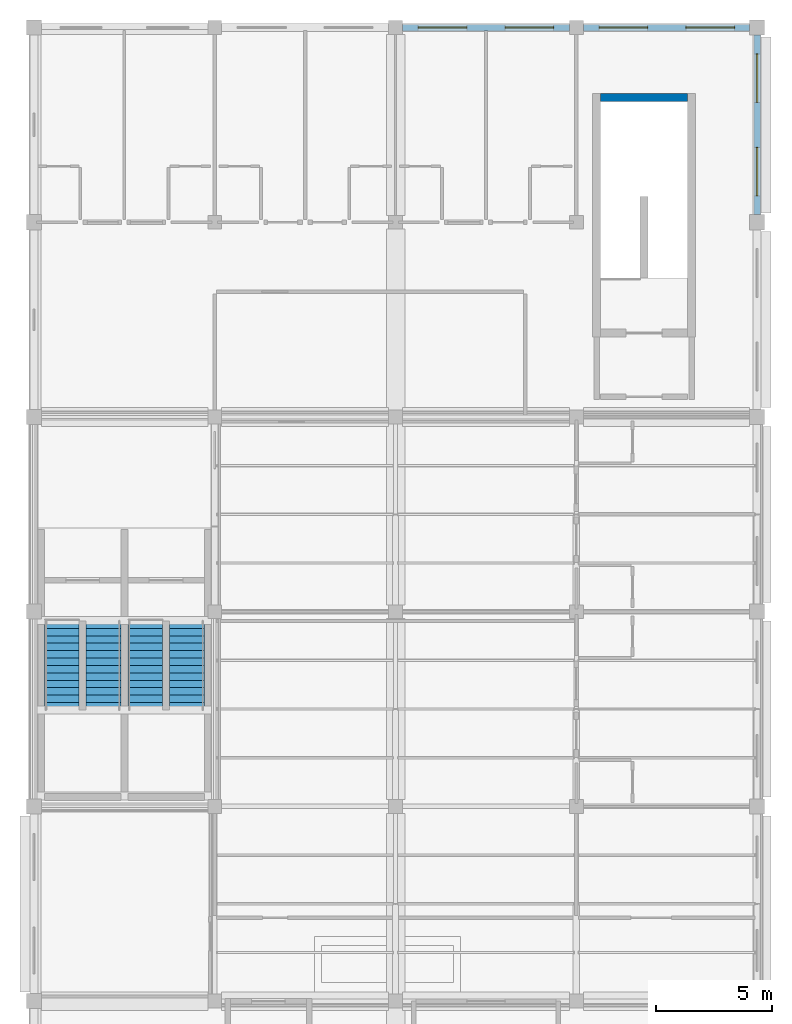
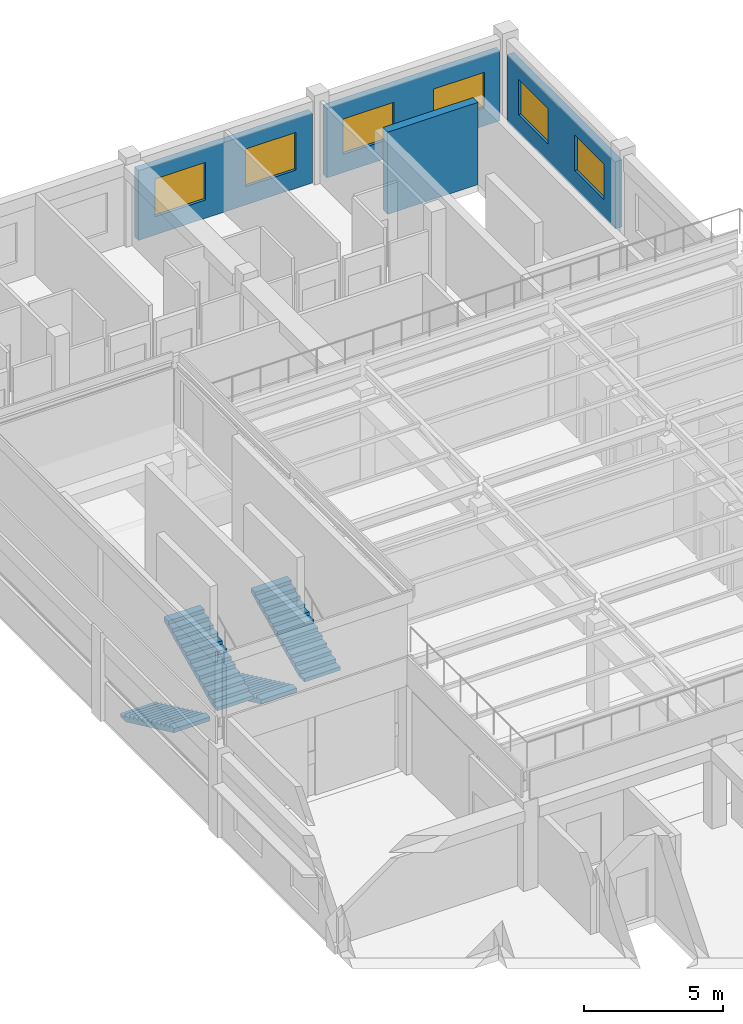
# One storey, part 19 of 20: 6 windows, 4 stair flights, 4 walls, 6 openings, 2 elements without a shape of their own.
"""IFC4 building model written with IfcOpenShell, lengths in metres."""

from ifc_helpers import new_model, si_unit, direction, frame, frame_2d, origin, place, context, subcontext, project, spatial, polyline, rectangle, outline, extrude, material, layer, layer_set, type_object, element, fill, aggregate, save


model = new_model("IFC4")

# Units and contexts
model_context = context("Model", 3, precision=1e-05, world=origin(), true_north=direction((0.0, 1.0)))
body_context = subcontext(model_context, "Body", "Model", "MODEL_VIEW")
ifc_project = project(units=[si_unit("LENGTHUNIT", "METRE"), si_unit("AREAUNIT", "SQUARE_METRE"), si_unit("VOLUMEUNIT", "CUBIC_METRE"), si_unit("PLANEANGLEUNIT", "RADIAN"), si_unit("MASSUNIT", "GRAM", prefix="KILO"), si_unit("THERMODYNAMICTEMPERATUREUNIT", "KELVIN"), si_unit("POWERUNIT", "WATT")], contexts=[model_context])

# Site, building, storey
site_placement = place(None, origin())
site = spatial("IfcSite", under=ifc_project, at=site_placement, CompositionType="ELEMENT")
building_placement = place(site_placement, origin())
building = spatial("IfcBuilding", under=site, at=building_placement, Name="Srebrne Nadtorze General Hospital", CompositionType="ELEMENT")
storey_placement = place(building_placement, frame((0.0, 0.0, 33.89990234375)))
storey = spatial("IfcBuildingStorey", under=building, at=storey_placement, Name="L08", CompositionType="ELEMENT", Elevation=33.89990234375)

# Wall
ifc_material_1 = material(Name="Concrete C40/50", Category="concrete")
ifc_layer_1 = layer(ifc_material_1, 0.35009765625)
ifc_layer_set_1 = layer_set([ifc_layer_1], Name="Concrete C40/50")
wall_type_1 = type_object("IfcWallType", Name="Shear core wall 350", PredefinedType="SHEAR", material=ifc_layer_set_1)
wall_1_placement = place(storey_placement, frame((47.85009765625, 89.375, 0.0), z_axis=(0.0, 0.0, 1.0), x_axis=(1.0, 0.0, 0.0)))
element("IfcWall", 1, at=wall_1_placement, inside=storey, type_object=wall_type_1, Name="Stair core wall ST-02 WL-INT-L08-0451", PredefinedType="SHEAR", context=body_context, shape_type="SweptSolid", body=[
    extrude(rectangle(XDim=3.75, YDim=0.35009765625, at=frame_2d((1.875, 0.0))), origin(), (0.0, 0.0, 1.0), 3.60009765625),
])

# Wall, openings, windows
ifc_material_2 = material(Name="Concrete C35/45 precast", Category="concrete")
ifc_layer_2 = layer(ifc_material_2, 0.280029296875)
ifc_layer_set_2 = layer_set([ifc_layer_2], Name="Concrete C35/45 precast")
wall_type_2 = type_object("IfcWallType", Name="Spandrel wall 280", PredefinedType="STANDARD", material=ifc_layer_set_2)
wall_2_placement = place(storey_placement, frame((39.300048828125, 92.39990234375, 0.0), z_axis=(0.0, 0.0, 1.0), x_axis=(1.0, 0.0, 0.0)))
wall_2 = element("IfcWall", 2, at=wall_2_placement, inside=storey, type_object=wall_type_2, Name="Exterior wall WL-ENV-L08-0556", PredefinedType="STANDARD", context=body_context, shape_type="SweptSolid", body=[
    extrude(rectangle(XDim=7.199951171875, YDim=0.280029296875, at=frame_2d((3.60009765625, 0.0))), origin(), (0.0, 0.0, 1.0), 3.050048828125),
])
opening_1_placement = place(wall_2_placement, frame((0.677978515625, 0.0, 0.800048828125)))
opening_1 = element("IfcOpeningElement", 3, at=opening_1_placement, cuts=wall_2, Name="Opening WN-L08-0938", PredefinedType="OPENING", context=body_context, shape_type="SweptSolid", body=[
    extrude(rectangle(XDim=2.10009765625, YDim=1.64990234375, at=frame_2d((1.050048828125, 0.824951171875))), frame((0.0, 0.15185546875, 0.0), z_axis=(0.0, -1.0, 0.0), x_axis=(1.0, 0.0, 0.0)), (0.0, 0.0, 1.0), 0.303955078125),
])
opening_2_placement = place(wall_2_placement, frame((4.422119140625, 0.0, 0.800048828125)))
opening_2 = element("IfcOpeningElement", 4, at=opening_2_placement, cuts=wall_2, Name="Opening WN-L08-0939", PredefinedType="OPENING", context=body_context, shape_type="SweptSolid", body=[
    extrude(rectangle(XDim=2.10009765625, YDim=1.64990234375, at=frame_2d((1.050048828125, 0.824951171875))), frame((0.0, 0.15185546875, 0.0), z_axis=(0.0, -1.0, 0.0), x_axis=(1.0, 0.0, 0.0)), (0.0, 0.0, 1.0), 0.303955078125),
])
ifc_material_3 = material(Name="Triple Low-E Glazing", Category="glass")
window_type_1 = type_object("IfcWindowType", Name="Punched clinical window 2100x1650", PartitioningType="DOUBLE_PANEL_VERTICAL", PredefinedType="WINDOW", material=ifc_material_3)
window_1_placement = place(opening_1_placement, origin())
window_1 = element("IfcWindow", 5, at=window_1_placement, inside=storey, type_object=window_type_1, Name="Clinical window WN-L08-0938", OverallHeight=1.64990234375, OverallWidth=2.10009765625, PartitioningType="DOUBLE_PANEL_VERTICAL", PredefinedType="WINDOW", context=body_context, shape_type="SweptSolid", body=[
    extrude(rectangle(XDim=2.10009765625, YDim=1.64990234375, at=frame_2d((1.050048828125, 0.824951171875))), frame((0.0, 0.030029296875, 0.0), z_axis=(0.0, -1.0, 0.0), x_axis=(1.0, 0.0, 0.0)), (0.0, 0.0, 1.0), 0.06005859375),
])
fill(opening_1, window_1)
window_2_placement = place(opening_2_placement, origin())
window_2 = element("IfcWindow", 6, at=window_2_placement, inside=storey, type_object=window_type_1, Name="Clinical window WN-L08-0939", OverallHeight=1.64990234375, OverallWidth=2.10009765625, PartitioningType="DOUBLE_PANEL_VERTICAL", PredefinedType="WINDOW", context=body_context, shape_type="SweptSolid", body=[
    extrude(rectangle(XDim=2.10009765625, YDim=1.64990234375, at=frame_2d((1.050048828125, 0.824951171875))), frame((0.0, 0.030029296875, 0.0), z_axis=(0.0, -1.0, 0.0), x_axis=(1.0, 0.0, 0.0)), (0.0, 0.0, 1.0), 0.06005859375),
])
fill(opening_2, window_2)

wall_3_placement = place(storey_placement, frame((47.10009765625, 92.39990234375, 0.0), z_axis=(0.0, 0.0, 1.0), x_axis=(1.0, 0.0, 0.0)))
wall_3 = element("IfcWall", 7, at=wall_3_placement, inside=storey, type_object=wall_type_2, Name="Exterior wall WL-ENV-L08-0557", PredefinedType="STANDARD", context=body_context, shape_type="SweptSolid", body=[
    extrude(rectangle(XDim=7.1748046875, YDim=0.280029296875, at=frame_2d((3.58740234375, 0.0))), origin(), (0.0, 0.0, 1.0), 3.050048828125),
])
opening_3_placement = place(wall_3_placement, frame((0.677978515625, 0.0, 0.800048828125)))
opening_3 = element("IfcOpeningElement", 8, at=opening_3_placement, cuts=wall_3, Name="Opening WN-L08-0940", PredefinedType="OPENING", context=body_context, shape_type="SweptSolid", body=[
    extrude(rectangle(XDim=2.10009765625, YDim=1.550048828125, at=frame_2d((1.050048828125, 0.77490234375))), frame((0.0, 0.15185546875, 0.0), z_axis=(0.0, -1.0, 0.0), x_axis=(1.0, 0.0, 0.0)), (0.0, 0.0, 1.0), 0.303955078125),
])
opening_4_placement = place(wall_3_placement, frame((4.422119140625, 0.0, 0.800048828125)))
opening_4 = element("IfcOpeningElement", 9, at=opening_4_placement, cuts=wall_3, Name="Opening WN-L08-0941", PredefinedType="OPENING", context=body_context, shape_type="SweptSolid", body=[
    extrude(rectangle(XDim=2.10009765625, YDim=1.550048828125, at=frame_2d((1.050048828125, 0.77490234375))), frame((0.0, 0.15185546875, 0.0), z_axis=(0.0, -1.0, 0.0), x_axis=(1.0, 0.0, 0.0)), (0.0, 0.0, 1.0), 0.303955078125),
])
ifc_material_4 = material(Name="Triple Low-E Glazing", Category="glass")
window_type_2 = type_object("IfcWindowType", Name="Punched clinical window 2100x1550", PartitioningType="DOUBLE_PANEL_VERTICAL", PredefinedType="WINDOW", material=ifc_material_4)
window_3_placement = place(opening_3_placement, origin())
window_3 = element("IfcWindow", 10, at=window_3_placement, inside=storey, type_object=window_type_2, Name="Clinical window WN-L08-0940", OverallHeight=1.550048828125, OverallWidth=2.10009765625, PartitioningType="DOUBLE_PANEL_VERTICAL", PredefinedType="WINDOW", context=body_context, shape_type="SweptSolid", body=[
    extrude(rectangle(XDim=2.10009765625, YDim=1.550048828125, at=frame_2d((1.050048828125, 0.77490234375))), frame((0.0, 0.030029296875, 0.0), z_axis=(0.0, -1.0, 0.0), x_axis=(1.0, 0.0, 0.0)), (0.0, 0.0, 1.0), 0.06005859375),
])
fill(opening_3, window_3)
window_4_placement = place(opening_4_placement, origin())
window_4 = element("IfcWindow", 11, at=window_4_placement, inside=storey, type_object=window_type_2, Name="Clinical window WN-L08-0941", OverallHeight=1.550048828125, OverallWidth=2.10009765625, PartitioningType="DOUBLE_PANEL_VERTICAL", PredefinedType="WINDOW", context=body_context, shape_type="SweptSolid", body=[
    extrude(rectangle(XDim=2.10009765625, YDim=1.550048828125, at=frame_2d((1.050048828125, 0.77490234375))), frame((0.0, 0.030029296875, 0.0), z_axis=(0.0, -1.0, 0.0), x_axis=(1.0, 0.0, 0.0)), (0.0, 0.0, 1.0), 0.06005859375),
])
fill(opening_4, window_4)

wall_4_placement = place(storey_placement, frame((54.60009765625, 84.324951171875, 0.0), z_axis=(0.0, 0.0, 1.0), x_axis=(0.0, 1.0, 0.0)))
wall_4 = element("IfcWall", 12, at=wall_4_placement, inside=storey, type_object=wall_type_2, Name="Exterior wall WL-ENV-L08-0569", PredefinedType="STANDARD", context=body_context, shape_type="SweptSolid", body=[
    extrude(rectangle(XDim=7.75, YDim=0.280029296875, at=frame_2d((3.875, 0.0))), origin(), (0.0, 0.0, 1.0), 2.9501953125),
])
opening_5_placement = place(wall_4_placement, frame((0.80908203125, 0.0, 0.800048828125)))
opening_5 = element("IfcOpeningElement", 13, at=opening_5_placement, cuts=wall_4, Name="Opening WN-L08-0956", PredefinedType="OPENING", context=body_context, shape_type="SweptSolid", body=[
    extrude(rectangle(XDim=2.10009765625, YDim=1.550048828125, at=frame_2d((1.050048828125, 0.77490234375))), frame((0.0, 0.15185546875, 0.0), z_axis=(0.0, -1.0, 0.0), x_axis=(1.0, 0.0, 0.0)), (0.0, 0.0, 1.0), 0.303955078125),
])
opening_6_placement = place(wall_4_placement, frame((4.841064453125, 0.0, 0.800048828125)))
opening_6 = element("IfcOpeningElement", 14, at=opening_6_placement, cuts=wall_4, Name="Opening WN-L08-0957", PredefinedType="OPENING", context=body_context, shape_type="SweptSolid", body=[
    extrude(rectangle(XDim=2.10009765625, YDim=1.550048828125, at=frame_2d((1.050048828125, 0.77490234375))), frame((0.0, 0.15185546875, 0.0), z_axis=(0.0, -1.0, 0.0), x_axis=(1.0, 0.0, 0.0)), (0.0, 0.0, 1.0), 0.303955078125),
])
window_5_placement = place(opening_5_placement, origin())
window_5 = element("IfcWindow", 15, at=window_5_placement, inside=storey, type_object=window_type_2, Name="Clinical window WN-L08-0956", OverallHeight=1.550048828125, OverallWidth=2.10009765625, PartitioningType="DOUBLE_PANEL_VERTICAL", PredefinedType="WINDOW", context=body_context, shape_type="SweptSolid", body=[
    extrude(rectangle(XDim=2.10009765625, YDim=1.550048828125, at=frame_2d((1.050048828125, 0.77490234375))), frame((0.0, 0.030029296875, 0.0), z_axis=(0.0, -1.0, 0.0), x_axis=(1.0, 0.0, 0.0)), (0.0, 0.0, 1.0), 0.06005859375),
])
fill(opening_5, window_5)
window_6_placement = place(opening_6_placement, origin())
window_6 = element("IfcWindow", 16, at=window_6_placement, inside=storey, type_object=window_type_2, Name="Clinical window WN-L08-0957", OverallHeight=1.550048828125, OverallWidth=2.10009765625, PartitioningType="DOUBLE_PANEL_VERTICAL", PredefinedType="WINDOW", context=body_context, shape_type="SweptSolid", body=[
    extrude(rectangle(XDim=2.10009765625, YDim=1.550048828125, at=frame_2d((1.050048828125, 0.77490234375))), frame((0.0, 0.030029296875, 0.0), z_axis=(0.0, -1.0, 0.0), x_axis=(1.0, 0.0, 0.0)), (0.0, 0.0, 1.0), 0.06005859375),
])
fill(opening_6, window_6)

# Stair, stair flights
ifc_material_5 = material(Name="Steel S355J2", Category="steel")
stair_type = type_object("IfcStairType", Name="Helipad access stair 390", PredefinedType="HALF_TURN_STAIR", material=ifc_material_5)
stair_1_placement = place(storey_placement, origin())
stair_1 = element("IfcStair", 17, at=stair_1_placement, inside=storey, type_object=stair_type, Name="Helipad access stair ST-09", PredefinedType="HALF_TURN_STAIR")
ifc_material_6 = material(Name="Steel S355J2", Category="steel")
stair_flight_type = type_object("IfcStairFlightType", Name="Steel stair flight 13R", PredefinedType="STRAIGHT", material=ifc_material_6)
stair_flight_1_placement = place(storey_placement, frame((24.60009765625, 66.800048828125, 0.0), z_axis=(0.0, 0.0, 1.0), x_axis=(0.0, -1.0, 0.0)))
stair_flight_1 = element("IfcStairFlight", 18, at=stair_flight_1_placement, type_object=stair_flight_type, Name="ST-09 flight 1", NumberOfRisers=13, NumberOfTreads=12, PredefinedType="STRAIGHT", RiserHeight=0.15, TreadLength=0.32, context=body_context, shape_type="SweptSolid", body=[
    extrude(outline(polyline([(0.0, 0.0), (0.0, 0.14990234375), (0.320068359375, 0.14990234375), (0.320068359375, 0.300048828125), (0.639892578125, 0.300048828125), (0.639892578125, 0.449951171875), (0.9599609375, 0.449951171875), (0.9599609375, 0.60009765625), (1.280029296875, 0.60009765625), (1.280029296875, 0.75), (1.60009765625, 0.75), (1.60009765625, 0.89990234375), (1.919921875, 0.89990234375), (1.919921875, 1.050048828125), (2.239990234375, 1.050048828125), (2.239990234375, 1.199951171875), (2.56005859375, 1.199951171875), (2.56005859375, 1.35009765625), (2.8798828125, 1.35009765625), (2.8798828125, 1.5), (3.199951171875, 1.5), (3.199951171875, 1.64990234375), (3.52001953125, 1.64990234375), (3.52001953125, 1.800048828125), (3.840087890625, 1.800048828125), (3.840087890625, 1.949951171875), (3.840087890625, 1.623291015625), (0.376708984375, 0.0), (0.0, 0.0)])), frame((0.0, 0.75, 0.0), z_axis=(0.0, -1.0, 0.0), x_axis=(1.0, 0.0, 0.0)), (0.0, 0.0, 1.0), 1.5),
])
stair_flight_2_placement = place(storey_placement, frame((26.39990234375, 62.9599609375, 1.9501953125), z_axis=(0.0, 0.0, 1.0), x_axis=(0.0, 1.0, 0.0)))
stair_flight_2 = element("IfcStairFlight", 19, at=stair_flight_2_placement, type_object=stair_flight_type, Name="ST-09 flight 2", NumberOfRisers=13, NumberOfTreads=12, PredefinedType="STRAIGHT", RiserHeight=0.15, TreadLength=0.32, context=body_context, shape_type="SweptSolid", body=[
    extrude(outline(polyline([(0.0, 0.0), (0.0, 0.14990234375), (0.320068359375, 0.14990234375), (0.320068359375, 0.300048828125), (0.639892578125, 0.300048828125), (0.639892578125, 0.449951171875), (0.9599609375, 0.449951171875), (0.9599609375, 0.60009765625), (1.280029296875, 0.60009765625), (1.280029296875, 0.75), (1.60009765625, 0.75), (1.60009765625, 0.89990234375), (1.919921875, 0.89990234375), (1.919921875, 1.050048828125), (2.239990234375, 1.050048828125), (2.239990234375, 1.199951171875), (2.56005859375, 1.199951171875), (2.56005859375, 1.35009765625), (2.8798828125, 1.35009765625), (2.8798828125, 1.5), (3.199951171875, 1.5), (3.199951171875, 1.64990234375), (3.52001953125, 1.64990234375), (3.52001953125, 1.800048828125), (3.840087890625, 1.800048828125), (3.840087890625, 1.949951171875), (3.840087890625, 1.623291015625), (0.376708984375, 0.0), (0.0, 0.0)])), frame((0.0, 0.75, 0.0), z_axis=(0.0, -1.0, 0.0), x_axis=(1.0, 0.0, 0.0)), (0.0, 0.0, 1.0), 1.5),
])
aggregate(stair_1, [stair_flight_1, stair_flight_2])

stair_2_placement = place(storey_placement, origin())
stair_2 = element("IfcStair", 20, at=stair_2_placement, inside=storey, type_object=stair_type, Name="Helipad access stair ST-10", PredefinedType="HALF_TURN_STAIR")
stair_flight_3_placement = place(storey_placement, frame((28.199951171875, 66.800048828125, 0.0), z_axis=(0.0, 0.0, 1.0), x_axis=(0.0, -1.0, 0.0)))
stair_flight_3 = element("IfcStairFlight", 21, at=stair_flight_3_placement, type_object=stair_flight_type, Name="ST-10 flight 1", NumberOfRisers=13, NumberOfTreads=12, PredefinedType="STRAIGHT", RiserHeight=0.15, TreadLength=0.32, context=body_context, shape_type="SweptSolid", body=[
    extrude(outline(polyline([(0.0, 0.0), (0.0, 0.14990234375), (0.320068359375, 0.14990234375), (0.320068359375, 0.300048828125), (0.639892578125, 0.300048828125), (0.639892578125, 0.449951171875), (0.9599609375, 0.449951171875), (0.9599609375, 0.60009765625), (1.280029296875, 0.60009765625), (1.280029296875, 0.75), (1.60009765625, 0.75), (1.60009765625, 0.89990234375), (1.919921875, 0.89990234375), (1.919921875, 1.050048828125), (2.239990234375, 1.050048828125), (2.239990234375, 1.199951171875), (2.56005859375, 1.199951171875), (2.56005859375, 1.35009765625), (2.8798828125, 1.35009765625), (2.8798828125, 1.5), (3.199951171875, 1.5), (3.199951171875, 1.64990234375), (3.52001953125, 1.64990234375), (3.52001953125, 1.800048828125), (3.840087890625, 1.800048828125), (3.840087890625, 1.949951171875), (3.840087890625, 1.623291015625), (0.376708984375, 0.0), (0.0, 0.0)])), frame((0.0, 0.75, 0.0), z_axis=(0.0, -1.0, 0.0), x_axis=(1.0, 0.0, 0.0)), (0.0, 0.0, 1.0), 1.5),
])
stair_flight_4_placement = place(storey_placement, frame((30.0, 62.9599609375, 1.9501953125), z_axis=(0.0, 0.0, 1.0), x_axis=(0.0, 1.0, 0.0)))
stair_flight_4 = element("IfcStairFlight", 22, at=stair_flight_4_placement, type_object=stair_flight_type, Name="ST-10 flight 2", NumberOfRisers=13, NumberOfTreads=12, PredefinedType="STRAIGHT", RiserHeight=0.15, TreadLength=0.32, context=body_context, shape_type="SweptSolid", body=[
    extrude(outline(polyline([(0.0, 0.0), (0.0, 0.14990234375), (0.320068359375, 0.14990234375), (0.320068359375, 0.300048828125), (0.639892578125, 0.300048828125), (0.639892578125, 0.449951171875), (0.9599609375, 0.449951171875), (0.9599609375, 0.60009765625), (1.280029296875, 0.60009765625), (1.280029296875, 0.75), (1.60009765625, 0.75), (1.60009765625, 0.89990234375), (1.919921875, 0.89990234375), (1.919921875, 1.050048828125), (2.239990234375, 1.050048828125), (2.239990234375, 1.199951171875), (2.56005859375, 1.199951171875), (2.56005859375, 1.35009765625), (2.8798828125, 1.35009765625), (2.8798828125, 1.5), (3.199951171875, 1.5), (3.199951171875, 1.64990234375), (3.52001953125, 1.64990234375), (3.52001953125, 1.800048828125), (3.840087890625, 1.800048828125), (3.840087890625, 1.949951171875), (3.840087890625, 1.623291015625), (0.376708984375, 0.0), (0.0, 0.0)])), frame((0.0, 0.75, 0.0), z_axis=(0.0, -1.0, 0.0), x_axis=(1.0, 0.0, 0.0)), (0.0, 0.0, 1.0), 1.5),
])
aggregate(stair_2, [stair_flight_3, stair_flight_4])

save(model, "model.ifc")
